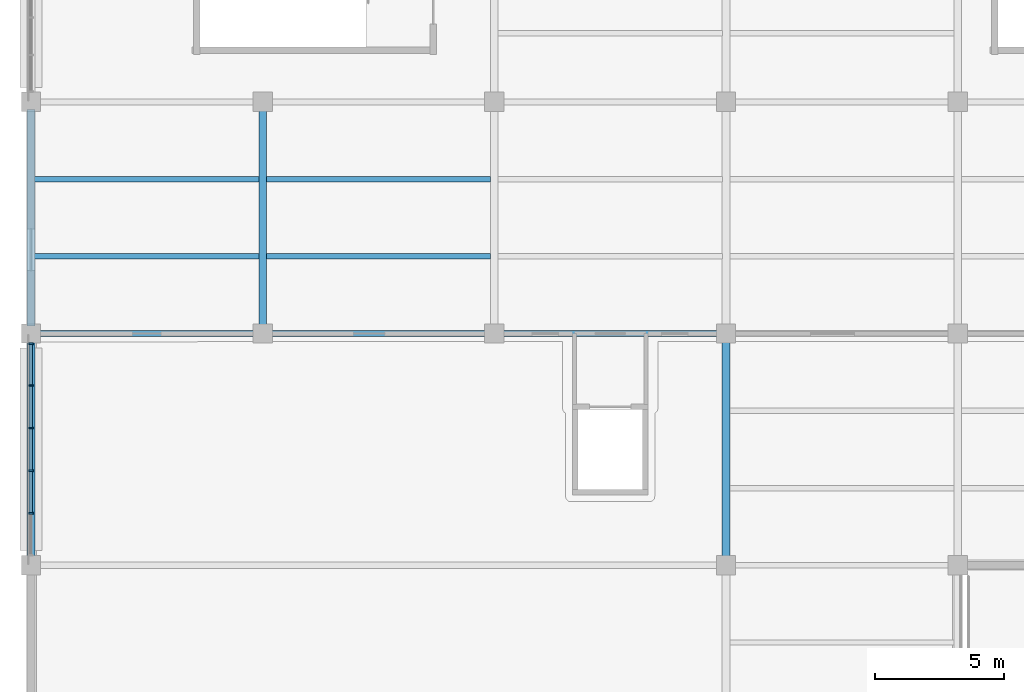
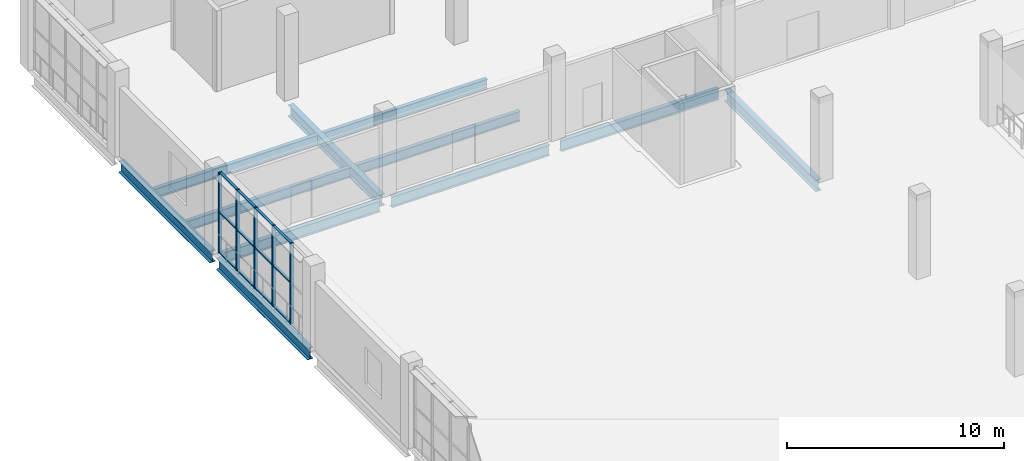
# One storey, part 50 of 152: 17 members, 11 beams, 1 element without a shape of its own.
"""IFC4 building model written with IfcOpenShell, lengths in metres."""

from ifc_helpers import new_model, si_unit, direction, frame, origin, origin_2d, place, context, subcontext, project, spatial, rectangle, i_section, extrude, material, material_profile, profile_set, type_object, element, aggregate, save


model = new_model("IFC4")

# Units and contexts
model_context = context("Model", 3, precision=1e-05, world=origin(), true_north=direction((0.0, 1.0)))
body_context = subcontext(model_context, "Body", "Model", "MODEL_VIEW")
ifc_project = project(units=[si_unit("LENGTHUNIT", "METRE"), si_unit("AREAUNIT", "SQUARE_METRE"), si_unit("VOLUMEUNIT", "CUBIC_METRE"), si_unit("PLANEANGLEUNIT", "RADIAN"), si_unit("MASSUNIT", "GRAM", prefix="KILO")], contexts=[model_context])

# Site, building, storey
site_placement = place(None, origin())
site = spatial("IfcSite", under=ifc_project, at=site_placement, CompositionType="ELEMENT")
building_placement = place(site_placement, origin())
building = spatial("IfcBuilding", under=site, at=building_placement, Name="Zevraka Park Crest Stadium", CompositionType="ELEMENT")
storey_placement = place(building_placement, frame((0.0, 0.0, 15.0)))
storey = spatial("IfcBuildingStorey", under=building, at=storey_placement, Name="L03", CompositionType="ELEMENT", Elevation=15.0)

# Beams
ifc_material_1 = material(Name="Steel S355", Category="steel")
ifc_material_profile_1 = material_profile(ifc_material_1, i_section(OverallWidth=0.300048828125, OverallDepth=0.64990234375, WebThickness=0.01611328125, FlangeThickness=0.031005859375, at=origin_2d()), Name="HEB 650")
ifc_profile_set_1 = profile_set([ifc_material_profile_1], Name="Steel S355")
beam_type_1 = type_object("IfcBeamType", Name="BG07", PredefinedType="BEAM", material=ifc_profile_set_1)
for number, where, z_axis, x_axis, name in (
    (1, (0.0, 158.300048828125, -0.633056640625), (0.0, 1.0, 0.0), (-1.0, 0.0, 0.0), "Wing Girder BG07 L03-1/TU"),
    (2, (0.0, 167.300048828125, -0.633056640625), (0.0, 1.0, 0.0), (-1.0, 0.0, 0.0), "Wing Girder BG07 L03-1/UV"),
    (3, (9.0, 167.300048828125, -0.633056640625), (0.0, 1.0, 0.0), (-1.0, 0.0, 0.0), "Wing Girder BG07 L03-2/UV"),
    (4, (27.0, 158.300048828125, -0.633056640625), (0.0, 1.0, 0.0), (-1.0, 0.0, 0.0), "Wing Girder BG07 L03-4/TU"),
):
    element("IfcBeam", number, at=place(storey_placement, frame(where, z_axis=z_axis, x_axis=x_axis)), inside=storey, type_object=beam_type_1, Name=name, PredefinedType="BEAM", context=body_context, shape_type="SweptSolid", body=[
        extrude(i_section(OverallWidth=0.300048828125, OverallDepth=0.64990234375, WebThickness=0.01611328125, FlangeThickness=0.031005859375, at=origin_2d()), origin(), (0.0, 0.0, 1.0), 8.39990234375),
    ])
ifc_material_2 = material(Name="Steel S355", Category="steel")
ifc_material_profile_2 = material_profile(ifc_material_2, i_section(OverallWidth=0.22900390625, OverallDepth=0.612060546875, WebThickness=0.011962890625, FlangeThickness=0.01953125, at=origin_2d()), Name="UKB 610x229x125")
ifc_profile_set_2 = profile_set([ifc_material_profile_2], Name="Steel S355")
beam_type_2 = type_object("IfcBeamType", Name="BG09", PredefinedType="BEAM", material=ifc_profile_set_2)
for number, where, z_axis, x_axis, name in (
    (5, (0.300048828125, 167.0, -0.614013671875), (1.0, 0.0, 0.0), (0.0, 1.0, 0.0), "Wing Girder BG09 L03-12/U"),
    (6, (9.300048828125, 167.0, -0.614013671875), (1.0, 0.0, 0.0), (0.0, 1.0, 0.0), "Wing Girder BG09 L03-23/U"),
    (7, (18.300048828125, 167.0, -0.614013671875), (1.0, 0.0, 0.0), (0.0, 1.0, 0.0), "Wing Girder BG09 L03-34/U"),
):
    element("IfcBeam", number, at=place(storey_placement, frame(where, z_axis=z_axis, x_axis=x_axis)), inside=storey, type_object=beam_type_2, Name=name, PredefinedType="BEAM", context=body_context, shape_type="SweptSolid", body=[
        extrude(i_section(OverallWidth=0.22900390625, OverallDepth=0.612060546875, WebThickness=0.011962890625, FlangeThickness=0.01953125, at=origin_2d()), origin(), (0.0, 0.0, 1.0), 8.39990234375),
    ])

# Curtain wall, members
ifc_material_3 = material(Name="Anodised architectural aluminium and laminated safety glass", Category="aluminium")
curtain_wall_type = type_object("IfcCurtainWallType", Name="CW29", PredefinedType="NOTDEFINED", material=ifc_material_3)
curtain_wall_placement = place(storey_placement, origin())
curtain_wall = element("IfcCurtainWall", 8, at=curtain_wall_placement, inside=storey, type_object=curtain_wall_type, Name="Wing Curtain Wall CW29 L03-NW-W-6", PredefinedType="NOTDEFINED")
ifc_material_4 = material(Name="Anodised architectural aluminium", Category="aluminium")
ifc_material_profile_3 = material_profile(ifc_material_4, rectangle(XDim=0.179931640625, YDim=0.06494140625, at=origin_2d()), Name="ALU MULLION 180x65")
ifc_profile_set_3 = profile_set([ifc_material_profile_3], Name="Anodised architectural aluminium")
member_type_1 = type_object("IfcMemberType", Name="CM02", PredefinedType="MULLION", material=ifc_profile_set_3)
member_1_placement = place(storey_placement, frame((0.0, 160.01904296875, 0.0), z_axis=(0.0, 0.0, 1.0), x_axis=(-1.0, 0.0, 0.0)))
member_1 = element("IfcMember", 9, at=member_1_placement, type_object=member_type_1, Name="CW29 mullion 2", PredefinedType="MULLION", context=body_context, shape_type="SweptSolid", body=[
    extrude(rectangle(XDim=0.179931640625, YDim=0.06494140625, at=origin_2d()), origin(), (0.0, 0.0, 1.0), 4.5400390625),
])
member_2_placement = place(storey_placement, frame((0.0, 161.673095703125, 0.0), z_axis=(0.0, 0.0, 1.0), x_axis=(-1.0, 0.0, 0.0)))
member_2 = element("IfcMember", 10, at=member_2_placement, type_object=member_type_1, Name="CW29 mullion 3", PredefinedType="MULLION", context=body_context, shape_type="SweptSolid", body=[
    extrude(rectangle(XDim=0.179931640625, YDim=0.06494140625, at=origin_2d()), origin(), (0.0, 0.0, 1.0), 4.5400390625),
])
member_3_placement = place(storey_placement, frame((0.0, 163.326904296875, 0.0), z_axis=(0.0, 0.0, 1.0), x_axis=(-1.0, 0.0, 0.0)))
member_3 = element("IfcMember", 11, at=member_3_placement, type_object=member_type_1, Name="CW29 mullion 4", PredefinedType="MULLION", context=body_context, shape_type="SweptSolid", body=[
    extrude(rectangle(XDim=0.179931640625, YDim=0.06494140625, at=origin_2d()), origin(), (0.0, 0.0, 1.0), 4.5400390625),
])
member_4_placement = place(storey_placement, frame((0.0, 164.98095703125, 0.0), z_axis=(0.0, 0.0, 1.0), x_axis=(-1.0, 0.0, 0.0)))
member_4 = element("IfcMember", 12, at=member_4_placement, type_object=member_type_1, Name="CW29 mullion 5", PredefinedType="MULLION", context=body_context, shape_type="SweptSolid", body=[
    extrude(rectangle(XDim=0.179931640625, YDim=0.06494140625, at=origin_2d()), origin(), (0.0, 0.0, 1.0), 4.5400390625),
])
member_5_placement = place(storey_placement, frame((0.0, 166.6025390625, 0.0), z_axis=(0.0, 0.0, 1.0), x_axis=(-1.0, 0.0, 0.0)))
member_5 = element("IfcMember", 13, at=member_5_placement, type_object=member_type_1, Name="CW29 mullion 6", PredefinedType="MULLION", context=body_context, shape_type="SweptSolid", body=[
    extrude(rectangle(XDim=0.179931640625, YDim=0.06494140625, at=origin_2d()), origin(), (0.0, 0.0, 1.0), 4.5400390625),
])
ifc_material_5 = material(Name="Anodised architectural aluminium", Category="aluminium")
ifc_material_profile_4 = material_profile(ifc_material_5, rectangle(XDim=0.139892578125, YDim=0.06494140625, at=origin_2d()), Name="ALU TRANSOM 140x65")
ifc_profile_set_4 = profile_set([ifc_material_profile_4], Name="Anodised architectural aluminium")
member_type_2 = type_object("IfcMemberType", Name="CT02", PredefinedType="USERDEFINED", material=ifc_profile_set_4)
member_6_placement = place(storey_placement, frame((0.0, 160.051513671875, 0.032470703125), z_axis=(0.0, 1.0, 0.0), x_axis=(-1.0, 0.0, 0.0)))
member_6 = element("IfcMember", 14, at=member_6_placement, type_object=member_type_2, Name="CW29 transom 2.1", ObjectType="TRANSOM", PredefinedType="USERDEFINED", context=body_context, shape_type="SweptSolid", body=[
    extrude(rectangle(XDim=0.139892578125, YDim=0.06494140625, at=origin_2d()), origin(), (0.0, 0.0, 1.0), 1.5888671875),
])
member_7_placement = place(storey_placement, frame((0.0, 160.051513671875, 2.300048828125), z_axis=(0.0, 1.0, 0.0), x_axis=(-1.0, 0.0, 0.0)))
member_7 = element("IfcMember", 15, at=member_7_placement, type_object=member_type_2, Name="CW29 transom 2.2", ObjectType="TRANSOM", PredefinedType="USERDEFINED", context=body_context, shape_type="SweptSolid", body=[
    extrude(rectangle(XDim=0.139892578125, YDim=0.06494140625, at=origin_2d()), origin(), (0.0, 0.0, 1.0), 1.5888671875),
])
member_8_placement = place(storey_placement, frame((0.0, 160.051513671875, 4.507568359375), z_axis=(0.0, 1.0, 0.0), x_axis=(-1.0, 0.0, 0.0)))
member_8 = element("IfcMember", 16, at=member_8_placement, type_object=member_type_2, Name="CW29 transom 2.3", ObjectType="TRANSOM", PredefinedType="USERDEFINED", context=body_context, shape_type="SweptSolid", body=[
    extrude(rectangle(XDim=0.139892578125, YDim=0.06494140625, at=origin_2d()), origin(), (0.0, 0.0, 1.0), 1.5888671875),
])
member_9_placement = place(storey_placement, frame((0.0, 161.70556640625, 0.032470703125), z_axis=(0.0, 1.0, 0.0), x_axis=(-1.0, 0.0, 0.0)))
member_9 = element("IfcMember", 17, at=member_9_placement, type_object=member_type_2, Name="CW29 transom 3.1", ObjectType="TRANSOM", PredefinedType="USERDEFINED", context=body_context, shape_type="SweptSolid", body=[
    extrude(rectangle(XDim=0.139892578125, YDim=0.06494140625, at=origin_2d()), origin(), (0.0, 0.0, 1.0), 1.5888671875),
])
member_10_placement = place(storey_placement, frame((0.0, 161.70556640625, 2.300048828125), z_axis=(0.0, 1.0, 0.0), x_axis=(-1.0, 0.0, 0.0)))
member_10 = element("IfcMember", 18, at=member_10_placement, type_object=member_type_2, Name="CW29 transom 3.2", ObjectType="TRANSOM", PredefinedType="USERDEFINED", context=body_context, shape_type="SweptSolid", body=[
    extrude(rectangle(XDim=0.139892578125, YDim=0.06494140625, at=origin_2d()), origin(), (0.0, 0.0, 1.0), 1.5888671875),
])
member_11_placement = place(storey_placement, frame((0.0, 161.70556640625, 4.507568359375), z_axis=(0.0, 1.0, 0.0), x_axis=(-1.0, 0.0, 0.0)))
member_11 = element("IfcMember", 19, at=member_11_placement, type_object=member_type_2, Name="CW29 transom 3.3", ObjectType="TRANSOM", PredefinedType="USERDEFINED", context=body_context, shape_type="SweptSolid", body=[
    extrude(rectangle(XDim=0.139892578125, YDim=0.06494140625, at=origin_2d()), origin(), (0.0, 0.0, 1.0), 1.5888671875),
])
member_12_placement = place(storey_placement, frame((0.0, 163.359619140625, 0.032470703125), z_axis=(0.0, 1.0, 0.0), x_axis=(-1.0, 0.0, 0.0)))
member_12 = element("IfcMember", 20, at=member_12_placement, type_object=member_type_2, Name="CW29 transom 4.1", ObjectType="TRANSOM", PredefinedType="USERDEFINED", context=body_context, shape_type="SweptSolid", body=[
    extrude(rectangle(XDim=0.139892578125, YDim=0.06494140625, at=origin_2d()), origin(), (0.0, 0.0, 1.0), 1.5888671875),
])
member_13_placement = place(storey_placement, frame((0.0, 163.359619140625, 2.300048828125), z_axis=(0.0, 1.0, 0.0), x_axis=(-1.0, 0.0, 0.0)))
member_13 = element("IfcMember", 21, at=member_13_placement, type_object=member_type_2, Name="CW29 transom 4.2", ObjectType="TRANSOM", PredefinedType="USERDEFINED", context=body_context, shape_type="SweptSolid", body=[
    extrude(rectangle(XDim=0.139892578125, YDim=0.06494140625, at=origin_2d()), origin(), (0.0, 0.0, 1.0), 1.5888671875),
])
member_14_placement = place(storey_placement, frame((0.0, 163.359619140625, 4.507568359375), z_axis=(0.0, 1.0, 0.0), x_axis=(-1.0, 0.0, 0.0)))
member_14 = element("IfcMember", 22, at=member_14_placement, type_object=member_type_2, Name="CW29 transom 4.3", ObjectType="TRANSOM", PredefinedType="USERDEFINED", context=body_context, shape_type="SweptSolid", body=[
    extrude(rectangle(XDim=0.139892578125, YDim=0.06494140625, at=origin_2d()), origin(), (0.0, 0.0, 1.0), 1.5888671875),
])
member_15_placement = place(storey_placement, frame((0.0, 165.013427734375, 0.032470703125), z_axis=(0.0, 1.0, 0.0), x_axis=(-1.0, 0.0, 0.0)))
member_15 = element("IfcMember", 23, at=member_15_placement, type_object=member_type_2, Name="CW29 transom 5.1", ObjectType="TRANSOM", PredefinedType="USERDEFINED", context=body_context, shape_type="SweptSolid", body=[
    extrude(rectangle(XDim=0.139892578125, YDim=0.06494140625, at=origin_2d()), origin(), (0.0, 0.0, 1.0), 1.556640625),
])
member_16_placement = place(storey_placement, frame((0.0, 165.013427734375, 2.300048828125), z_axis=(0.0, 1.0, 0.0), x_axis=(-1.0, 0.0, 0.0)))
member_16 = element("IfcMember", 24, at=member_16_placement, type_object=member_type_2, Name="CW29 transom 5.2", ObjectType="TRANSOM", PredefinedType="USERDEFINED", context=body_context, shape_type="SweptSolid", body=[
    extrude(rectangle(XDim=0.139892578125, YDim=0.06494140625, at=origin_2d()), origin(), (0.0, 0.0, 1.0), 1.556640625),
])
member_17_placement = place(storey_placement, frame((0.0, 165.013427734375, 4.507568359375), z_axis=(0.0, 1.0, 0.0), x_axis=(-1.0, 0.0, 0.0)))
member_17 = element("IfcMember", 25, at=member_17_placement, type_object=member_type_2, Name="CW29 transom 5.3", ObjectType="TRANSOM", PredefinedType="USERDEFINED", context=body_context, shape_type="SweptSolid", body=[
    extrude(rectangle(XDim=0.139892578125, YDim=0.06494140625, at=origin_2d()), origin(), (0.0, 0.0, 1.0), 1.556640625),
])
aggregate(curtain_wall, [member_1, member_2, member_3, member_4, member_5, member_6, member_7, member_8, member_9, member_10, member_11, member_12, member_13, member_14, member_15, member_16, member_17])

# Beams
ifc_material_6 = material(Name="Steel S355", Category="steel")
ifc_material_profile_5 = material_profile(ifc_material_6, i_section(OverallWidth=0.2099609375, OverallDepth=0.550048828125, WebThickness=0.010986328125, FlangeThickness=0.01708984375, at=origin_2d()), Name="IPE 550")
ifc_profile_set_5 = profile_set([ifc_material_profile_5], Name="Steel S355")
beam_type_3 = type_object("IfcBeamType", Name="SJ04", PredefinedType="JOIST", material=ifc_profile_set_5)
for number, where, z_axis, x_axis, name in (
    (26, (0.14501953125, 170.0, -0.5849609375), (1.0, 0.0, 0.0), (0.0, 1.0, 0.0), "Wing Joist SJ04 L03-1/U-1"),
    (27, (0.14501953125, 173.0, -0.5849609375), (1.0, 0.0, 0.0), (0.0, 1.0, 0.0), "Wing Joist SJ04 L03-1/U-2"),
    (28, (9.14501953125, 170.0, -0.5849609375), (1.0, 0.0, 0.0), (0.0, 1.0, 0.0), "Wing Joist SJ04 L03-2/U-1"),
    (29, (9.14501953125, 173.0, -0.5849609375), (1.0, 0.0, 0.0), (0.0, 1.0, 0.0), "Wing Joist SJ04 L03-2/U-2"),
):
    element("IfcBeam", number, at=place(storey_placement, frame(where, z_axis=z_axis, x_axis=x_axis)), inside=storey, type_object=beam_type_3, Name=name, PredefinedType="JOIST", context=body_context, shape_type="SweptSolid", body=[
        extrude(i_section(OverallWidth=0.2099609375, OverallDepth=0.550048828125, WebThickness=0.010986328125, FlangeThickness=0.01708984375, at=origin_2d()), origin(), (0.0, 0.0, 1.0), 8.7099609375),
    ])

save(model, "model.ifc")
